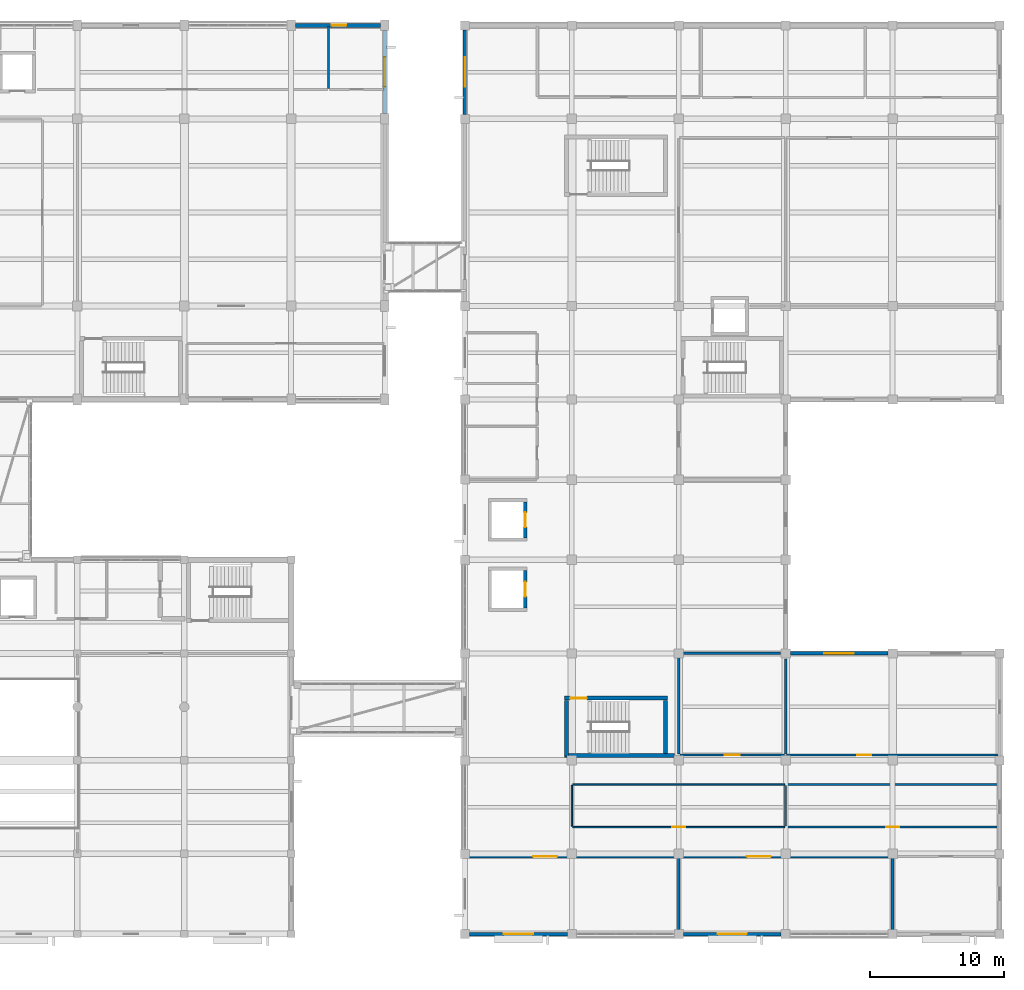
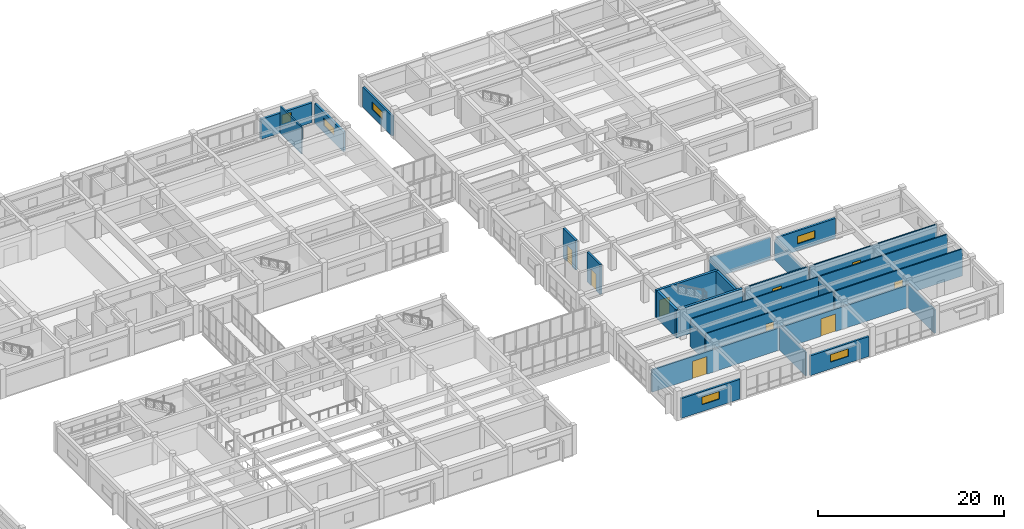
# One storey, part 52 of 66: 28 walls, 9 doors, 6 windows, 15 openings.
"""IFC4 building model written with IfcOpenShell, lengths in metres."""

from ifc_helpers import new_model, si_unit, direction, frame, frame_2d, origin, place, context, subcontext, project, spatial, rectangle, extrude, material, layer, layer_set, type_object, element, fill, save


model = new_model("IFC4")

# Units and contexts
model_context = context("Model", 3, precision=1e-05, world=origin(), true_north=direction((0.0, 1.0)))
body_context = subcontext(model_context, "Body", "Model", "MODEL_VIEW")
ifc_project = project(units=[si_unit("LENGTHUNIT", "METRE"), si_unit("AREAUNIT", "SQUARE_METRE"), si_unit("VOLUMEUNIT", "CUBIC_METRE"), si_unit("PLANEANGLEUNIT", "RADIAN"), si_unit("MASSUNIT", "GRAM", prefix="KILO")], contexts=[model_context])

# Site, building, storey
site_placement = place(None, origin())
site = spatial("IfcSite", under=ifc_project, at=site_placement, CompositionType="ELEMENT")
building_placement = place(site_placement, origin())
building = spatial("IfcBuilding", under=site, at=building_placement, Name="Naurynzar Civic Courthouse", CompositionType="ELEMENT")
storey_placement = place(building_placement, frame((0.0, 0.0, 14.39990234375)))
storey = spatial("IfcBuildingStorey", under=building, at=storey_placement, Name="L04", CompositionType="ELEMENT", Elevation=14.39990234375)

# Wall, opening, door
ifc_material_1 = material(Name="Acoustic Double-Stud Gypsum Partition")
ifc_layer_1 = layer(ifc_material_1, 0.205078125)
ifc_layer_set_1 = layer_set([ifc_layer_1], Name="WL-ACOUSTIC-205")
wall_type_1 = type_object("IfcWallType", Name="WL-ACOUSTIC-205", PredefinedType="PARTITIONING", material=ifc_layer_set_1)
wall_1_placement = place(storey_placement, frame((130.080078125, 9.800048828125, 0.0), z_axis=(0.0, 0.0, 1.0), x_axis=(1.0, 0.0, 0.0)))
wall_1 = element("IfcWall", 1, at=wall_1_placement, inside=storey, type_object=wall_type_1, Name="V5 interior partition L04.441", PredefinedType="PARTITIONING", context=body_context, shape_type="SweptSolid", body=[
    extrude(rectangle(XDim=15.83984375, YDim=0.205078125, at=frame_2d((7.919921875, 0.0))), origin(), (0.0, 0.0, 1.0), 2.93017578125),
])
opening_1_placement = place(wall_1_placement, frame((5.01904296875, 0.0, 0.0)))
opening_1 = element("IfcOpeningElement", 2, at=opening_1_placement, cuts=wall_1, Name="Opening D-322", PredefinedType="OPENING", context=body_context, shape_type="SweptSolid", body=[
    extrude(rectangle(XDim=1.800048828125, YDim=2.300048828125, at=frame_2d((0.89990234375, 1.14990234375))), frame((0.0, 0.112548828125, 0.0), z_axis=(0.0, -1.0, 0.0), x_axis=(1.0, 0.0, 0.0)), (0.0, 0.0, 1.0), 0.22509765625),
])
ifc_material_2 = material(Name="Acoustic Oak Timber Grade A", Category="wood")
door_type_1 = type_object("IfcDoorType", Name="DR-COURT-DBL-1800x2300", OperationType="DOUBLE_DOOR_SINGLE_SWING", PredefinedType="DOOR", material=ifc_material_2)
door_1_placement = place(opening_1_placement, origin())
door_1 = element("IfcDoor", 3, at=door_1_placement, inside=storey, type_object=door_type_1, Name="Interior door D-322 (Criminal Jury Courtroom L04-S1)", OperationType="DOUBLE_DOOR_SINGLE_SWING", OverallHeight=2.300048828125, OverallWidth=1.800048828125, PredefinedType="DOOR", context=body_context, shape_type="SweptSolid", body=[
    extrude(rectangle(XDim=1.800048828125, YDim=2.300048828125, at=frame_2d((0.89990234375, 1.14990234375))), frame((0.0, 0.02490234375, 0.0), z_axis=(0.0, -1.0, 0.0), x_axis=(1.0, 0.0, 0.0)), (0.0, 0.0, 1.0), 0.050048828125),
])
fill(opening_1, door_1)

ifc_material_3 = material(Name="Acoustic Double-Stud Gypsum Partition")
ifc_layer_2 = layer(ifc_material_3, 0.2099609375)
ifc_layer_set_2 = layer_set([ifc_layer_2], Name="WL-ACOUSTIC-210")
wall_type_2 = type_object("IfcWallType", Name="WL-ACOUSTIC-210", PredefinedType="PARTITIONING", material=ifc_layer_set_2)
wall_2_placement = place(storey_placement, frame((146.080078125, 9.800048828125, 0.0), z_axis=(0.0, 0.0, 1.0), x_axis=(1.0, 0.0, 0.0)))
wall_2 = element("IfcWall", 4, at=wall_2_placement, inside=storey, type_object=wall_type_2, Name="V5 interior partition L04.442", PredefinedType="PARTITIONING", context=body_context, shape_type="SweptSolid", body=[
    extrude(rectangle(XDim=15.83984375, YDim=0.2099609375, at=frame_2d((7.919921875, 0.0))), origin(), (0.0, 0.0, 1.0), 2.93017578125),
])
opening_2_placement = place(wall_2_placement, frame((5.01904296875, 0.0, 0.0)))
opening_2 = element("IfcOpeningElement", 5, at=opening_2_placement, cuts=wall_2, Name="Opening D-323", PredefinedType="OPENING", context=body_context, shape_type="SweptSolid", body=[
    extrude(rectangle(XDim=1.800048828125, YDim=2.300048828125, at=frame_2d((0.89990234375, 1.14990234375))), frame((0.0, 0.114990234375, 0.0), z_axis=(0.0, -1.0, 0.0), x_axis=(1.0, 0.0, 0.0)), (0.0, 0.0, 1.0), 0.22998046875),
])
door_2_placement = place(opening_2_placement, origin())
door_2 = element("IfcDoor", 6, at=door_2_placement, inside=storey, type_object=door_type_1, Name="Interior door D-323 (Criminal Trial Courtroom L04-S2)", OperationType="DOUBLE_DOOR_SINGLE_SWING", OverallHeight=2.300048828125, OverallWidth=1.800048828125, PredefinedType="DOOR", context=body_context, shape_type="SweptSolid", body=[
    extrude(rectangle(XDim=1.800048828125, YDim=2.300048828125, at=frame_2d((0.89990234375, 1.14990234375))), frame((0.0, 0.02490234375, 0.0), z_axis=(0.0, -1.0, 0.0), x_axis=(1.0, 0.0, 0.0)), (0.0, 0.0, 1.0), 0.050048828125),
])
fill(opening_2, door_2)

# Walls
for number, where, z_axis, x_axis, name in (
    (7, (146.0, 4.080078125, 0.0), (0.0, 0.0, 1.0), (0.0, 1.0, 0.0), "V5 interior partition L04.557"),
    (8, (162.0, 4.080078125, 0.0), (0.0, 0.0, 1.0), (0.0, 1.0, 0.0), "V5 interior partition L04.566"),
):
    element("IfcWall", number, at=place(storey_placement, frame(where, z_axis=z_axis, x_axis=x_axis)), inside=storey, type_object=wall_type_2, Name=name, PredefinedType="PARTITIONING", context=body_context, shape_type="SweptSolid", body=[
        extrude(rectangle(XDim=5.639892578125, YDim=0.2099609375, at=frame_2d((2.81982421875, 0.0))), origin(), (0.0, 0.0, 1.0), 3.080078125),
    ])

# Wall, opening, door
ifc_material_4 = material(Name="Concrete C40/50", Category="concrete")
ifc_layer_3 = layer(ifc_material_4, 0.300048828125)
ifc_layer_set_3 = layer_set([ifc_layer_3], Name="WL-CORE-300")
wall_type_3 = type_object("IfcWallType", Name="WL-CORE-300", PredefinedType="SHEAR", material=ifc_layer_set_3)
wall_3_placement = place(storey_placement, frame((145.14990234375, 21.64990234375, 0.0), z_axis=(0.0, 0.0, 1.0), x_axis=(-1.0, 0.0, 0.0)))
wall_3 = element("IfcWall", 9, at=wall_3_placement, inside=storey, type_object=wall_type_3, Name="Stair ST-V5A enclosure wall north L04", PredefinedType="SHEAR", context=body_context, shape_type="SweptSolid", body=[
    extrude(rectangle(XDim=7.699951171875, YDim=0.300048828125, at=frame_2d((3.85009765625, 0.0))), origin(), (0.0, 0.0, 1.0), 3.6201171875),
])
opening_3_placement = place(wall_3_placement, frame((6.02490234375, 0.0, 0.0)))
opening_3 = element("IfcOpeningElement", 10, at=opening_3_placement, cuts=wall_3, Name="Opening SD-063", PredefinedType="OPENING", context=body_context, shape_type="SweptSolid", body=[
    extrude(rectangle(XDim=1.25, YDim=2.14990234375, at=frame_2d((0.625, 1.074951171875))), frame((0.0, 0.159912109375, 0.0), z_axis=(0.0, -1.0, 0.0), x_axis=(1.0, 0.0, 0.0)), (0.0, 0.0, 1.0), 0.320068359375),
])
ifc_material_5 = material(Name="Powder-Coated Galvanised Steel", Category="steel")
door_type_2 = type_object("IfcDoorType", Name="DR-STAIR-1250x2150", OperationType="NOTDEFINED", PredefinedType="DOOR", material=ifc_material_5)
door_3_placement = place(opening_3_placement, origin())
door_3 = element("IfcDoor", 11, at=door_3_placement, inside=storey, type_object=door_type_2, Name="Stair ST-V5A fire door L04", OperationType="SINGLE_SWING_LEFT", OverallHeight=2.14990234375, OverallWidth=1.25, PredefinedType="DOOR", context=body_context, shape_type="SweptSolid", body=[
    extrude(rectangle(XDim=1.25, YDim=2.14990234375, at=frame_2d((0.625, 1.074951171875))), frame((0.0, 0.02490234375, 0.0), z_axis=(0.0, -1.0, 0.0), x_axis=(1.0, 0.0, 0.0)), (0.0, 0.0, 1.0), 0.050048828125),
])
fill(opening_3, door_3)

# Walls
wall_4_placement = place(storey_placement, frame((137.449951171875, 17.35009765625, 0.0), z_axis=(0.0, 0.0, 1.0), x_axis=(1.0, 0.0, 0.0)))
element("IfcWall", 12, at=wall_4_placement, inside=storey, type_object=wall_type_3, Name="Stair ST-V5A enclosure wall south L04", PredefinedType="SHEAR", context=body_context, shape_type="SweptSolid", body=[
    extrude(rectangle(XDim=8.219970703125, YDim=0.300048828125, at=frame_2d((4.10986328125, 0.0))), origin(), (0.0, 0.0, 1.0), 3.6201171875),
])
wall_5_placement = place(storey_placement, frame((137.60009765625, 21.4951171875, 0.0), z_axis=(0.0, 0.0, 1.0), x_axis=(0.0, -1.0, 0.0)))
element("IfcWall", 13, at=wall_5_placement, inside=storey, type_object=wall_type_3, Name="Stair ST-V5A enclosure wall west L04", PredefinedType="SHEAR", context=body_context, shape_type="SweptSolid", body=[
    extrude(rectangle(XDim=4.1650390625, YDim=0.300048828125, at=frame_2d((2.08251953125, 0.0))), origin(), (0.0, 0.0, 1.0), 3.6201171875),
])
wall_6_placement = place(storey_placement, frame((145.0, 17.5048828125, 0.0), z_axis=(0.0, 0.0, 1.0), x_axis=(0.0, 1.0, 0.0)))
element("IfcWall", 14, at=wall_6_placement, inside=storey, type_object=wall_type_3, Name="Stair ST-V5A enclosure wall east L04", PredefinedType="SHEAR", context=body_context, shape_type="SweptSolid", body=[
    extrude(rectangle(XDim=3.990234375, YDim=0.300048828125, at=frame_2d((1.9951171875, 0.0))), origin(), (0.0, 0.0, 1.0), 3.6201171875),
])

# Wall, opening, window
ifc_material_6 = material(Name="Precast concrete C40/50", Category="concrete")
ifc_layer_4 = layer(ifc_material_6, 0.260009765625)
ifc_layer_set_4 = layer_set([ifc_layer_4], Name="WL-EXT-260")
wall_type_4 = type_object("IfcWallType", Name="WL-EXT-260", PredefinedType="SOLIDWALL", material=ifc_layer_set_4)
wall_7_placement = place(storey_placement, frame((130.0, 65.33740234375, 0.0), z_axis=(0.0, 0.0, 1.0), x_axis=(0.0, 1.0, 0.0)))
wall_7 = element("IfcWall", 15, at=wall_7_placement, inside=storey, type_object=wall_type_4, Name="V5 exterior wall west L04.9.1", PredefinedType="SOLIDWALL", context=body_context, shape_type="SweptSolid", body=[
    extrude(rectangle(XDim=6.3251953125, YDim=0.260009765625, at=frame_2d((3.16259765625, 0.0))), origin(), (0.0, 0.0, 1.0), 2.610107421875),
])
opening_4_placement = place(wall_7_placement, frame((2.0625, 0.0, 0.89990234375)))
opening_4 = element("IfcOpeningElement", 16, at=opening_4_placement, cuts=wall_7, Name="Opening WN-18", PredefinedType="OPENING", context=body_context, shape_type="SweptSolid", body=[
    extrude(rectangle(XDim=2.199951171875, YDim=1.0, at=frame_2d((1.10009765625, 0.5))), frame((0.0, 0.139892578125, 0.0), z_axis=(0.0, -1.0, 0.0), x_axis=(1.0, 0.0, 0.0)), (0.0, 0.0, 1.0), 0.280029296875),
])
ifc_material_7 = material(Name="Tempered Laminated Low-E Glass", Category="glass")
window_type_1 = type_object("IfcWindowType", Name="WIN-CLER-2200x1000", PartitioningType="DOUBLE_PANEL_VERTICAL", PredefinedType="WINDOW", material=ifc_material_7)
window_1_placement = place(opening_4_placement, origin())
window_1 = element("IfcWindow", 17, at=window_1_placement, inside=storey, type_object=window_type_1, Name="V5 window 303 L04", OverallHeight=1.0, OverallWidth=2.199951171875, PartitioningType="SINGLE_PANEL", PredefinedType="WINDOW", context=body_context, shape_type="SweptSolid", body=[
    extrude(rectangle(XDim=2.199951171875, YDim=1.0, at=frame_2d((1.10009765625, 0.5))), frame((0.0, 0.030029296875, 0.0), z_axis=(0.0, -1.0, 0.0), x_axis=(1.0, 0.0, 0.0)), (0.0, 0.0, 1.0), 0.06005859375),
])
fill(opening_4, window_1)

wall_8_placement = place(storey_placement, frame((154.35009765625, 25.0, 0.0), z_axis=(0.0, 0.0, 1.0), x_axis=(1.0, 0.0, 0.0)))
wall_8 = element("IfcWall", 18, at=wall_8_placement, inside=storey, type_object=wall_type_4, Name="V5 exterior wall notch_s L04.1.1", PredefinedType="SOLIDWALL", context=body_context, shape_type="SweptSolid", body=[
    extrude(rectangle(XDim=7.2998046875, YDim=0.260009765625, at=frame_2d((3.64990234375, 0.0))), origin(), (0.0, 0.0, 1.0), 2.610107421875),
])
opening_5_placement = place(wall_8_placement, frame((2.550048828125, 0.0, 0.89990234375)))
opening_5 = element("IfcOpeningElement", 19, at=opening_5_placement, cuts=wall_8, Name="Opening WN-18", PredefinedType="OPENING", context=body_context, shape_type="SweptSolid", body=[
    extrude(rectangle(XDim=2.199951171875, YDim=1.0, at=frame_2d((1.10009765625, 0.5))), frame((0.0, 0.139892578125, 0.0), z_axis=(0.0, -1.0, 0.0), x_axis=(1.0, 0.0, 0.0)), (0.0, 0.0, 1.0), 0.280029296875),
])
window_2_placement = place(opening_5_placement, origin())
window_2 = element("IfcWindow", 20, at=window_2_placement, inside=storey, type_object=window_type_1, Name="V5 window 312 L04", OverallHeight=1.0, OverallWidth=2.199951171875, PartitioningType="SINGLE_PANEL", PredefinedType="WINDOW", context=body_context, shape_type="SweptSolid", body=[
    extrude(rectangle(XDim=2.199951171875, YDim=1.0, at=frame_2d((1.10009765625, 0.5))), frame((0.0, 0.030029296875, 0.0), z_axis=(0.0, -1.0, 0.0), x_axis=(1.0, 0.0, 0.0)), (0.0, 0.0, 1.0), 0.06005859375),
])
fill(opening_5, window_2)

wall_9_placement = place(storey_placement, frame((153.66259765625, 4.0, 0.0), z_axis=(0.0, 0.0, 1.0), x_axis=(-1.0, 0.0, 0.0)))
wall_9 = element("IfcWall", 21, at=wall_9_placement, inside=storey, type_object=wall_type_4, Name="V5 exterior wall south L04.3.1", PredefinedType="SOLIDWALL", context=body_context, shape_type="SweptSolid", body=[
    extrude(rectangle(XDim=7.3251953125, YDim=0.260009765625, at=frame_2d((3.66259765625, 0.0))), origin(), (0.0, 0.0, 1.0), 2.610107421875),
])
opening_6_placement = place(wall_9_placement, frame((2.5625, 0.0, 0.89990234375)))
opening_6 = element("IfcOpeningElement", 22, at=opening_6_placement, cuts=wall_9, Name="Opening WN-18", PredefinedType="OPENING", context=body_context, shape_type="SweptSolid", body=[
    extrude(rectangle(XDim=2.199951171875, YDim=1.0, at=frame_2d((1.10009765625, 0.5))), frame((0.0, 0.139892578125, 0.0), z_axis=(0.0, -1.0, 0.0), x_axis=(1.0, 0.0, 0.0)), (0.0, 0.0, 1.0), 0.280029296875),
])
window_3_placement = place(opening_6_placement, origin())
window_3 = element("IfcWindow", 23, at=window_3_placement, inside=storey, type_object=window_type_1, Name="V5 window 318 L04", OverallHeight=1.0, OverallWidth=2.199951171875, PartitioningType="SINGLE_PANEL", PredefinedType="WINDOW", context=body_context, shape_type="SweptSolid", body=[
    extrude(rectangle(XDim=2.199951171875, YDim=1.0, at=frame_2d((1.10009765625, 0.5))), frame((0.0, 0.030029296875, 0.0), z_axis=(0.0, -1.0, 0.0), x_axis=(1.0, 0.0, 0.0)), (0.0, 0.0, 1.0), 0.06005859375),
])
fill(opening_6, window_3)

wall_10_placement = place(storey_placement, frame((137.66259765625, 4.0, 0.0), z_axis=(0.0, 0.0, 1.0), x_axis=(-1.0, 0.0, 0.0)))
wall_10 = element("IfcWall", 24, at=wall_10_placement, inside=storey, type_object=wall_type_4, Name="V5 exterior wall south L04.5.1", PredefinedType="SOLIDWALL", context=body_context, shape_type="SweptSolid", body=[
    extrude(rectangle(XDim=7.3251953125, YDim=0.260009765625, at=frame_2d((3.66259765625, 0.0))), origin(), (0.0, 0.0, 1.0), 2.610107421875),
])
opening_7_placement = place(wall_10_placement, frame((2.5625, 0.0, 0.89990234375)))
opening_7 = element("IfcOpeningElement", 25, at=opening_7_placement, cuts=wall_10, Name="Opening WN-18", PredefinedType="OPENING", context=body_context, shape_type="SweptSolid", body=[
    extrude(rectangle(XDim=2.199951171875, YDim=1.0, at=frame_2d((1.10009765625, 0.5))), frame((0.0, 0.139892578125, 0.0), z_axis=(0.0, -1.0, 0.0), x_axis=(1.0, 0.0, 0.0)), (0.0, 0.0, 1.0), 0.280029296875),
])
window_4_placement = place(opening_7_placement, origin())
window_4 = element("IfcWindow", 26, at=window_4_placement, inside=storey, type_object=window_type_1, Name="V5 window 319 L04", OverallHeight=1.0, OverallWidth=2.199951171875, PartitioningType="SINGLE_PANEL", PredefinedType="WINDOW", context=body_context, shape_type="SweptSolid", body=[
    extrude(rectangle(XDim=2.199951171875, YDim=1.0, at=frame_2d((1.10009765625, 0.5))), frame((0.0, 0.030029296875, 0.0), z_axis=(0.0, -1.0, 0.0), x_axis=(1.0, 0.0, 0.0)), (0.0, 0.0, 1.0), 0.06005859375),
])
fill(opening_7, window_4)

ifc_material_8 = material(Name="Precast concrete C40/50", Category="concrete")
ifc_layer_5 = layer(ifc_material_8, 0.300048828125)
ifc_layer_set_5 = layer_set([ifc_layer_5], Name="WL-EXT-300")
wall_type_5 = type_object("IfcWallType", Name="WL-EXT-300", PredefinedType="SOLIDWALL", material=ifc_layer_set_5)
wall_11_placement = place(storey_placement, frame((117.324951171875, 72.0, 0.0), z_axis=(0.0, 0.0, 1.0), x_axis=(1.0, 0.0, 0.0)))
wall_11 = element("IfcWall", 27, at=wall_11_placement, inside=storey, type_object=wall_type_5, Name="V2 exterior wall north L04.8.1", PredefinedType="SOLIDWALL", context=body_context, shape_type="SweptSolid", body=[
    extrude(rectangle(XDim=6.35009765625, YDim=0.300048828125, at=frame_2d((3.175048828125, 0.0))), origin(), (0.0, 0.0, 1.0), 2.610107421875),
])
opening_8_placement = place(wall_11_placement, frame((2.695068359375, 0.0, 1.0)))
opening_8 = element("IfcOpeningElement", 28, at=opening_8_placement, cuts=wall_11, Name="Opening WN-15", PredefinedType="OPENING", context=body_context, shape_type="SweptSolid", body=[
    extrude(rectangle(XDim=1.10009765625, YDim=1.199951171875, at=frame_2d((0.550048828125, 0.60009765625))), frame((0.0, 0.159912109375, 0.0), z_axis=(0.0, -1.0, 0.0), x_axis=(1.0, 0.0, 0.0)), (0.0, 0.0, 1.0), 0.320068359375),
])
ifc_material_9 = material(Name="Tempered Laminated Low-E Glass", Category="glass")
window_type_2 = type_object("IfcWindowType", Name="WIN-SEC-1100x1200", PartitioningType="SINGLE_PANEL", PredefinedType="WINDOW", material=ifc_material_9)
window_5_placement = place(opening_8_placement, origin())
window_5 = element("IfcWindow", 29, at=window_5_placement, inside=storey, type_object=window_type_2, Name="V2 window 76 L04", OverallHeight=1.199951171875, OverallWidth=1.10009765625, PartitioningType="SINGLE_PANEL", PredefinedType="WINDOW", context=body_context, shape_type="SweptSolid", body=[
    extrude(rectangle(XDim=1.10009765625, YDim=1.199951171875, at=frame_2d((0.550048828125, 0.60009765625))), frame((0.0, 0.030029296875, 0.0), z_axis=(0.0, -1.0, 0.0), x_axis=(1.0, 0.0, 0.0)), (0.0, 0.0, 1.0), 0.06005859375),
])
fill(opening_8, window_5)

wall_12_placement = place(storey_placement, frame((124.0, 71.60009765625, 0.0), z_axis=(0.0, 0.0, 1.0), x_axis=(0.0, -1.0, 0.0)))
wall_12 = element("IfcWall", 30, at=wall_12_placement, inside=storey, type_object=wall_type_5, Name="V2 exterior wall east L04.1.1", PredefinedType="SOLIDWALL", context=body_context, shape_type="SweptSolid", body=[
    extrude(rectangle(XDim=6.2001953125, YDim=0.300048828125, at=frame_2d((3.10009765625, 0.0))), origin(), (0.0, 0.0, 1.0), 2.610107421875),
])
opening_9_placement = place(wall_12_placement, frame((1.97998046875, 0.0, 0.89990234375)))
opening_9 = element("IfcOpeningElement", 31, at=opening_9_placement, cuts=wall_12, Name="Opening WN-18", PredefinedType="OPENING", context=body_context, shape_type="SweptSolid", body=[
    extrude(rectangle(XDim=2.199951171875, YDim=1.0, at=frame_2d((1.10009765625, 0.5))), frame((0.0, 0.159912109375, 0.0), z_axis=(0.0, -1.0, 0.0), x_axis=(1.0, 0.0, 0.0)), (0.0, 0.0, 1.0), 0.320068359375),
])
window_6_placement = place(opening_9_placement, origin())
window_6 = element("IfcWindow", 32, at=window_6_placement, inside=storey, type_object=window_type_1, Name="V2 window 77 L04", OverallHeight=1.0, OverallWidth=2.199951171875, PartitioningType="SINGLE_PANEL", PredefinedType="WINDOW", context=body_context, shape_type="SweptSolid", body=[
    extrude(rectangle(XDim=2.199951171875, YDim=1.0, at=frame_2d((1.10009765625, 0.5))), frame((0.0, 0.030029296875, 0.0), z_axis=(0.0, -1.0, 0.0), x_axis=(1.0, 0.0, 0.0)), (0.0, 0.0, 1.0), 0.06005859375),
])
fill(opening_9, window_6)

# Wall, opening, door
ifc_material_10 = material(Name="Insulated Metal-Stud Gypsum Partition")
ifc_layer_6 = layer(ifc_material_10, 0.159912109375)
ifc_layer_set_6 = layer_set([ifc_layer_6], Name="WL-PART-CHAMB-160")
wall_type_6 = type_object("IfcWallType", Name="WL-PART-CHAMB-160", PredefinedType="PARTITIONING", material=ifc_layer_set_6)
wall_13_placement = place(storey_placement, frame((154.080078125, 12.0, 0.0), z_axis=(0.0, 0.0, 1.0), x_axis=(1.0, 0.0, 0.0)))
wall_13 = element("IfcWall", 33, at=wall_13_placement, inside=storey, type_object=wall_type_6, Name="V5 interior partition L04.451", PredefinedType="PARTITIONING", context=body_context, shape_type="SweptSolid", body=[
    extrude(rectangle(XDim=15.83984375, YDim=0.159912109375, at=frame_2d((7.919921875, 0.0))), origin(), (0.0, 0.0, 1.0), 3.5400390625),
])
opening_10_placement = place(wall_13_placement, frame((7.429931640625, 0.0, 0.0)))
opening_10 = element("IfcOpeningElement", 34, at=opening_10_placement, cuts=wall_13, Name="Opening D-326", PredefinedType="OPENING", context=body_context, shape_type="SweptSolid", body=[
    extrude(rectangle(XDim=0.97998046875, YDim=2.10009765625, at=frame_2d((0.489990234375, 1.050048828125))), frame((0.0, 0.08984375, 0.0), z_axis=(0.0, -1.0, 0.0), x_axis=(1.0, 0.0, 0.0)), (0.0, 0.0, 1.0), 0.179931640625),
])
ifc_material_11 = material(Name="Acoustic Oak Timber Grade A", Category="wood")
door_type_3 = type_object("IfcDoorType", Name="DR-SUITE-980x2100", OperationType="NOTDEFINED", PredefinedType="DOOR", material=ifc_material_11)
door_4_placement = place(opening_10_placement, origin())
door_4 = element("IfcDoor", 35, at=door_4_placement, inside=storey, type_object=door_type_3, Name="Interior door D-326 (Prosecutors' Preparation Room L04-SE)", OperationType="SINGLE_SWING_RIGHT", OverallHeight=2.10009765625, OverallWidth=0.97998046875, PredefinedType="DOOR", context=body_context, shape_type="SweptSolid", body=[
    extrude(rectangle(XDim=0.97998046875, YDim=2.10009765625, at=frame_2d((0.489990234375, 1.050048828125))), frame((0.0, 0.02490234375, 0.0), z_axis=(0.0, -1.0, 0.0), x_axis=(1.0, 0.0, 0.0)), (0.0, 0.0, 1.0), 0.050048828125),
])
fill(opening_10, door_4)

# Walls
wall_14_placement = place(storey_placement, frame((154.080078125, 15.199951171875, 0.0), z_axis=(0.0, 0.0, 1.0), x_axis=(1.0, 0.0, 0.0)))
element("IfcWall", 36, at=wall_14_placement, inside=storey, type_object=wall_type_6, Name="V5 interior partition L04.453", PredefinedType="PARTITIONING", context=body_context, shape_type="SweptSolid", body=[
    extrude(rectangle(XDim=15.83984375, YDim=0.159912109375, at=frame_2d((7.919921875, 0.0))), origin(), (0.0, 0.0, 1.0), 3.5400390625),
])
wall_15_placement = place(storey_placement, frame((119.800048828125, 67.280029296875, 0.0), z_axis=(0.0, 0.0, 1.0), x_axis=(0.0, 1.0, 0.0)))
element("IfcWall", 37, at=wall_15_placement, inside=storey, type_object=wall_type_6, Name="V2 interior partition L04.551", PredefinedType="PARTITIONING", context=body_context, shape_type="SweptSolid", body=[
    extrude(rectangle(XDim=4.639892578125, YDim=0.159912109375, at=frame_2d((2.31982421875, 0.0))), origin(), (0.0, 0.0, 1.0), 3.5400390625),
])
wall_16_placement = place(storey_placement, frame((154.0, 12.080078125, 0.0), z_axis=(0.0, 0.0, 1.0), x_axis=(0.0, 1.0, 0.0)))
element("IfcWall", 38, at=wall_16_placement, inside=storey, type_object=wall_type_6, Name="V5 interior partition L04.562", PredefinedType="PARTITIONING", context=body_context, shape_type="SweptSolid", body=[
    extrude(rectangle(XDim=3.0400390625, YDim=0.159912109375, at=frame_2d((1.52001953125, 0.0))), origin(), (0.0, 0.0, 1.0), 3.080078125),
])

# Wall, opening, door
ifc_material_12 = material(Name="Fire-Rated Corridor Gypsum Partition")
ifc_layer_7 = layer(ifc_material_12, 0.14990234375)
ifc_layer_set_7 = layer_set([ifc_layer_7], Name="WL-PART-CORR-150")
wall_type_7 = type_object("IfcWallType", Name="WL-PART-CORR-150", PredefinedType="PARTITIONING", material=ifc_layer_set_7)
wall_17_placement = place(storey_placement, frame((154.080078125, 17.39990234375, 0.0), z_axis=(0.0, 0.0, 1.0), x_axis=(1.0, 0.0, 0.0)))
wall_17 = element("IfcWall", 39, at=wall_17_placement, inside=storey, type_object=wall_type_7, Name="V5 interior partition L04.455", PredefinedType="PARTITIONING", context=body_context, shape_type="SweptSolid", body=[
    extrude(rectangle(XDim=15.83984375, YDim=0.14990234375, at=frame_2d((7.919921875, 0.0))), origin(), (0.0, 0.0, 1.0), 3.5400390625),
])
opening_11_placement = place(wall_17_placement, frame((5.284912109375, 0.0, 0.0)))
opening_11 = element("IfcOpeningElement", 40, at=opening_11_placement, cuts=wall_17, Name="Opening D-328", PredefinedType="OPENING", context=body_context, shape_type="SweptSolid", body=[
    extrude(rectangle(XDim=1.0400390625, YDim=2.14990234375, at=frame_2d((0.52001953125, 1.074951171875))), frame((0.0, 0.0849609375, 0.0), z_axis=(0.0, -1.0, 0.0), x_axis=(1.0, 0.0, 0.0)), (0.0, 0.0, 1.0), 0.169921875),
])
ifc_material_13 = material(Name="Acoustic Oak Timber Grade A", Category="wood")
door_type_4 = type_object("IfcDoorType", Name="DR-SUITE-1040x2150", OperationType="NOTDEFINED", PredefinedType="DOOR", material=ifc_material_13)
door_5_placement = place(opening_11_placement, origin())
door_5 = element("IfcDoor", 41, at=door_5_placement, inside=storey, type_object=door_type_4, Name="Interior door D-328 (Witness Protection Room L04)", OperationType="SINGLE_SWING_RIGHT", OverallHeight=2.14990234375, OverallWidth=1.0400390625, PredefinedType="DOOR", context=body_context, shape_type="SweptSolid", body=[
    extrude(rectangle(XDim=1.0400390625, YDim=2.14990234375, at=frame_2d((0.52001953125, 1.074951171875))), frame((0.0, 0.02490234375, 0.0), z_axis=(0.0, -1.0, 0.0), x_axis=(1.0, 0.0, 0.0)), (0.0, 0.0, 1.0), 0.050048828125),
])
fill(opening_11, door_5)

ifc_material_14 = material(Name="Acoustic Double-Stud Gypsum Partition")
ifc_layer_8 = layer(ifc_material_14, 0.179931640625)
ifc_layer_set_8 = layer_set([ifc_layer_8], Name="WL-PART-JURY-180")
wall_type_8 = type_object("IfcWallType", Name="WL-PART-JURY-180", PredefinedType="PARTITIONING", material=ifc_layer_set_8)
wall_18_placement = place(storey_placement, frame((146.080078125, 17.39990234375, 0.0), z_axis=(0.0, 0.0, 1.0), x_axis=(1.0, 0.0, 0.0)))
wall_18 = element("IfcWall", 42, at=wall_18_placement, inside=storey, type_object=wall_type_8, Name="V5 interior partition L04.454", PredefinedType="PARTITIONING", context=body_context, shape_type="SweptSolid", body=[
    extrude(rectangle(XDim=7.83984375, YDim=0.179931640625, at=frame_2d((3.919921875, 0.0))), origin(), (0.0, 0.0, 1.0), 3.5400390625),
])
opening_12_placement = place(wall_18_placement, frame((3.344970703125, 0.0, 0.0)))
opening_12 = element("IfcOpeningElement", 43, at=opening_12_placement, cuts=wall_18, Name="Opening D-327", PredefinedType="OPENING", context=body_context, shape_type="SweptSolid", body=[
    extrude(rectangle(XDim=1.14990234375, YDim=2.199951171875, at=frame_2d((0.574951171875, 1.10009765625))), frame((0.0, 0.099853515625, 0.0), z_axis=(0.0, -1.0, 0.0), x_axis=(1.0, 0.0, 0.0)), (0.0, 0.0, 1.0), 0.199951171875),
])
ifc_material_15 = material(Name="Acoustic Oak Timber Grade A", Category="wood")
door_type_5 = type_object("IfcDoorType", Name="DR-JURY-1150x2200", OperationType="NOTDEFINED", PredefinedType="DOOR", material=ifc_material_15)
door_6_placement = place(opening_12_placement, origin())
door_6 = element("IfcDoor", 44, at=door_6_placement, inside=storey, type_object=door_type_5, Name="Interior door D-327 (Jury Room L04-S)", OperationType="SINGLE_SWING_LEFT", OverallHeight=2.199951171875, OverallWidth=1.14990234375, PredefinedType="DOOR", context=body_context, shape_type="SweptSolid", body=[
    extrude(rectangle(XDim=1.14990234375, YDim=2.199951171875, at=frame_2d((0.574951171875, 1.10009765625))), frame((0.0, 0.02490234375, 0.0), z_axis=(0.0, -1.0, 0.0), x_axis=(1.0, 0.0, 0.0)), (0.0, 0.0, 1.0), 0.050048828125),
])
fill(opening_12, door_6)

# Walls
wall_19_placement = place(storey_placement, frame((146.080078125, 25.0, 0.0), z_axis=(0.0, 0.0, 1.0), x_axis=(1.0, 0.0, 0.0)))
element("IfcWall", 45, at=wall_19_placement, inside=storey, type_object=wall_type_8, Name="V5 interior partition L04.461", PredefinedType="PARTITIONING", context=body_context, shape_type="SweptSolid", body=[
    extrude(rectangle(XDim=7.52001953125, YDim=0.179931640625, at=frame_2d((3.760009765625, 0.0))), origin(), (0.0, 0.0, 1.0), 2.93017578125),
])
wall_20_placement = place(storey_placement, frame((146.0, 17.47998046875, 0.0), z_axis=(0.0, 0.0, 1.0), x_axis=(0.0, 1.0, 0.0)))
element("IfcWall", 46, at=wall_20_placement, inside=storey, type_object=wall_type_8, Name="V5 interior partition L04.558", PredefinedType="PARTITIONING", context=body_context, shape_type="SweptSolid", body=[
    extrude(rectangle(XDim=7.43994140625, YDim=0.179931640625, at=frame_2d((3.719970703125, 0.0))), origin(), (0.0, 0.0, 1.0), 2.68017578125),
])
wall_21_placement = place(storey_placement, frame((154.0, 17.47998046875, 0.0), z_axis=(0.0, 0.0, 1.0), x_axis=(0.0, 1.0, 0.0)))
element("IfcWall", 47, at=wall_21_placement, inside=storey, type_object=wall_type_8, Name="V5 interior partition L04.563", PredefinedType="PARTITIONING", context=body_context, shape_type="SweptSolid", body=[
    extrude(rectangle(XDim=7.1201171875, YDim=0.179931640625, at=frame_2d((3.56005859375, 0.0))), origin(), (0.0, 0.0, 1.0), 2.68017578125),
])

# Wall, opening, door
ifc_material_16 = material(Name="Metal-Stud Gypsum Partition")
ifc_layer_9 = layer(ifc_material_16, 0.125)
ifc_layer_set_9 = layer_set([ifc_layer_9], Name="WL-PART-STD-125")
wall_type_9 = type_object("IfcWallType", Name="WL-PART-STD-125", PredefinedType="PARTITIONING", material=ifc_layer_set_9)
wall_22_placement = place(storey_placement, frame((138.080078125, 12.0, 0.0), z_axis=(0.0, 0.0, 1.0), x_axis=(1.0, 0.0, 0.0)))
wall_22 = element("IfcWall", 48, at=wall_22_placement, inside=storey, type_object=wall_type_9, Name="V5 interior partition L04.450", PredefinedType="PARTITIONING", context=body_context, shape_type="SweptSolid", body=[
    extrude(rectangle(XDim=15.83984375, YDim=0.125, at=frame_2d((7.919921875, 0.0))), origin(), (0.0, 0.0, 1.0), 3.5400390625),
])
opening_13_placement = place(wall_22_placement, frame((7.449951171875, 0.0, 0.0)))
opening_13 = element("IfcOpeningElement", 49, at=opening_13_placement, cuts=wall_22, Name="Opening D-325", PredefinedType="OPENING", context=body_context, shape_type="SweptSolid", body=[
    extrude(rectangle(XDim=0.93994140625, YDim=2.14990234375, at=frame_2d((0.469970703125, 1.074951171875))), frame((0.0, 0.072509765625, 0.0), z_axis=(0.0, -1.0, 0.0), x_axis=(1.0, 0.0, 0.0)), (0.0, 0.0, 1.0), 0.14501953125),
])
ifc_material_17 = material(Name="Acoustic Oak Timber Grade A", Category="wood")
door_type_6 = type_object("IfcDoorType", Name="DR-SUITE-940x2150", OperationType="NOTDEFINED", PredefinedType="DOOR", material=ifc_material_17)
door_7_placement = place(opening_13_placement, origin())
door_7 = element("IfcDoor", 50, at=door_7_placement, inside=storey, type_object=door_type_6, Name="Interior door D-325 (Victim and Witness Suite L04-SW)", OperationType="SINGLE_SWING_LEFT", OverallHeight=2.14990234375, OverallWidth=0.93994140625, PredefinedType="DOOR", context=body_context, shape_type="SweptSolid", body=[
    extrude(rectangle(XDim=0.93994140625, YDim=2.14990234375, at=frame_2d((0.469970703125, 1.074951171875))), frame((0.0, 0.02490234375, 0.0), z_axis=(0.0, -1.0, 0.0), x_axis=(1.0, 0.0, 0.0)), (0.0, 0.0, 1.0), 0.050048828125),
])
fill(opening_13, door_7)

# Walls
wall_23_placement = place(storey_placement, frame((138.080078125, 15.199951171875, 0.0), z_axis=(0.0, 0.0, 1.0), x_axis=(1.0, 0.0, 0.0)))
element("IfcWall", 51, at=wall_23_placement, inside=storey, type_object=wall_type_9, Name="V5 interior partition L04.452", PredefinedType="PARTITIONING", context=body_context, shape_type="SweptSolid", body=[
    extrude(rectangle(XDim=15.83984375, YDim=0.125, at=frame_2d((7.919921875, 0.0))), origin(), (0.0, 0.0, 1.0), 3.5400390625),
])
wall_24_placement = place(storey_placement, frame((138.0, 12.080078125, 0.0), z_axis=(0.0, 0.0, 1.0), x_axis=(0.0, 1.0, 0.0)))
element("IfcWall", 52, at=wall_24_placement, inside=storey, type_object=wall_type_9, Name="V5 interior partition L04.556", PredefinedType="PARTITIONING", context=body_context, shape_type="SweptSolid", body=[
    extrude(rectangle(XDim=3.0400390625, YDim=0.125, at=frame_2d((1.52001953125, 0.0))), origin(), (0.0, 0.0, 1.0), 3.080078125),
])

# Wall, opening, door
ifc_material_18 = material(Name="Concrete C40/50", Category="concrete")
ifc_layer_10 = layer(ifc_material_18, 0.25)
ifc_layer_set_10 = layer_set([ifc_layer_10], Name="WL-SHAFT-250")
wall_type_10 = type_object("IfcWallType", Name="WL-SHAFT-250", PredefinedType="SHEAR", material=ifc_layer_set_10)
wall_25_placement = place(storey_placement, frame((134.52490234375, 33.655029296875, 0.0), z_axis=(0.0, 0.0, 1.0), x_axis=(0.0, 1.0, 0.0)))
wall_25 = element("IfcWall", 53, at=wall_25_placement, inside=storey, type_object=wall_type_10, Name="Lift LP-05 shaft wall east L04", PredefinedType="SHEAR", context=body_context, shape_type="SweptSolid", body=[
    extrude(rectangle(XDim=2.68994140625, YDim=0.25, at=frame_2d((1.344970703125, 0.0))), origin(), (0.0, 0.0, 1.0), 3.900146484375),
])
opening_14_placement = place(wall_25_placement, frame((0.794921875, 0.0, 0.0)))
opening_14 = element("IfcOpeningElement", 54, at=opening_14_placement, cuts=wall_25, Name="Opening LD-072", PredefinedType="OPENING", context=body_context, shape_type="SweptSolid", body=[
    extrude(rectangle(XDim=1.10009765625, YDim=2.14990234375, at=frame_2d((0.550048828125, 1.074951171875))), frame((0.0, 0.135009765625, 0.0), z_axis=(0.0, -1.0, 0.0), x_axis=(1.0, 0.0, 0.0)), (0.0, 0.0, 1.0), 0.27001953125),
])
ifc_material_19 = material(Name="Brushed Stainless Steel 304", Category="steel")
door_type_7 = type_object("IfcDoorType", Name="DR-LIFT-SLIDE-1100x2150", OperationType="DOUBLE_DOOR_SLIDING", PredefinedType="DOOR", material=ifc_material_19)
door_8_placement = place(opening_14_placement, origin())
door_8 = element("IfcDoor", 55, at=door_8_placement, inside=storey, type_object=door_type_7, Name="Lift LP-05 sliding landing door L04", OperationType="DOUBLE_DOOR_SLIDING", OverallHeight=2.14990234375, OverallWidth=1.10009765625, PredefinedType="DOOR", context=body_context, shape_type="SweptSolid", body=[
    extrude(rectangle(XDim=1.10009765625, YDim=2.14990234375, at=frame_2d((0.550048828125, 1.074951171875))), frame((0.0, 0.02490234375, 0.0), z_axis=(0.0, -1.0, 0.0), x_axis=(1.0, 0.0, 0.0)), (0.0, 0.0, 1.0), 0.050048828125),
])
fill(opening_14, door_8)

wall_26_placement = place(storey_placement, frame((134.52490234375, 28.405029296875, 0.0), z_axis=(0.0, 0.0, 1.0), x_axis=(0.0, 1.0, 0.0)))
wall_26 = element("IfcWall", 56, at=wall_26_placement, inside=storey, type_object=wall_type_10, Name="Lift LP-06 shaft wall east L04", PredefinedType="SHEAR", context=body_context, shape_type="SweptSolid", body=[
    extrude(rectangle(XDim=2.7900390625, YDim=0.25, at=frame_2d((1.39501953125, 0.0))), origin(), (0.0, 0.0, 1.0), 3.900146484375),
])
opening_15_placement = place(wall_26_placement, frame((0.844970703125, 0.0, 0.0)))
opening_15 = element("IfcOpeningElement", 57, at=opening_15_placement, cuts=wall_26, Name="Opening LD-081", PredefinedType="OPENING", context=body_context, shape_type="SweptSolid", body=[
    extrude(rectangle(XDim=1.10009765625, YDim=2.14990234375, at=frame_2d((0.550048828125, 1.074951171875))), frame((0.0, 0.135009765625, 0.0), z_axis=(0.0, -1.0, 0.0), x_axis=(1.0, 0.0, 0.0)), (0.0, 0.0, 1.0), 0.27001953125),
])
door_9_placement = place(opening_15_placement, origin())
door_9 = element("IfcDoor", 58, at=door_9_placement, inside=storey, type_object=door_type_7, Name="Lift LP-06 sliding landing door L04", OperationType="DOUBLE_DOOR_SLIDING", OverallHeight=2.14990234375, OverallWidth=1.10009765625, PredefinedType="DOOR", context=body_context, shape_type="SweptSolid", body=[
    extrude(rectangle(XDim=1.10009765625, YDim=2.14990234375, at=frame_2d((0.550048828125, 1.074951171875))), frame((0.0, 0.02490234375, 0.0), z_axis=(0.0, -1.0, 0.0), x_axis=(1.0, 0.0, 0.0)), (0.0, 0.0, 1.0), 0.050048828125),
])
fill(opening_15, door_9)

save(model, "model.ifc")
